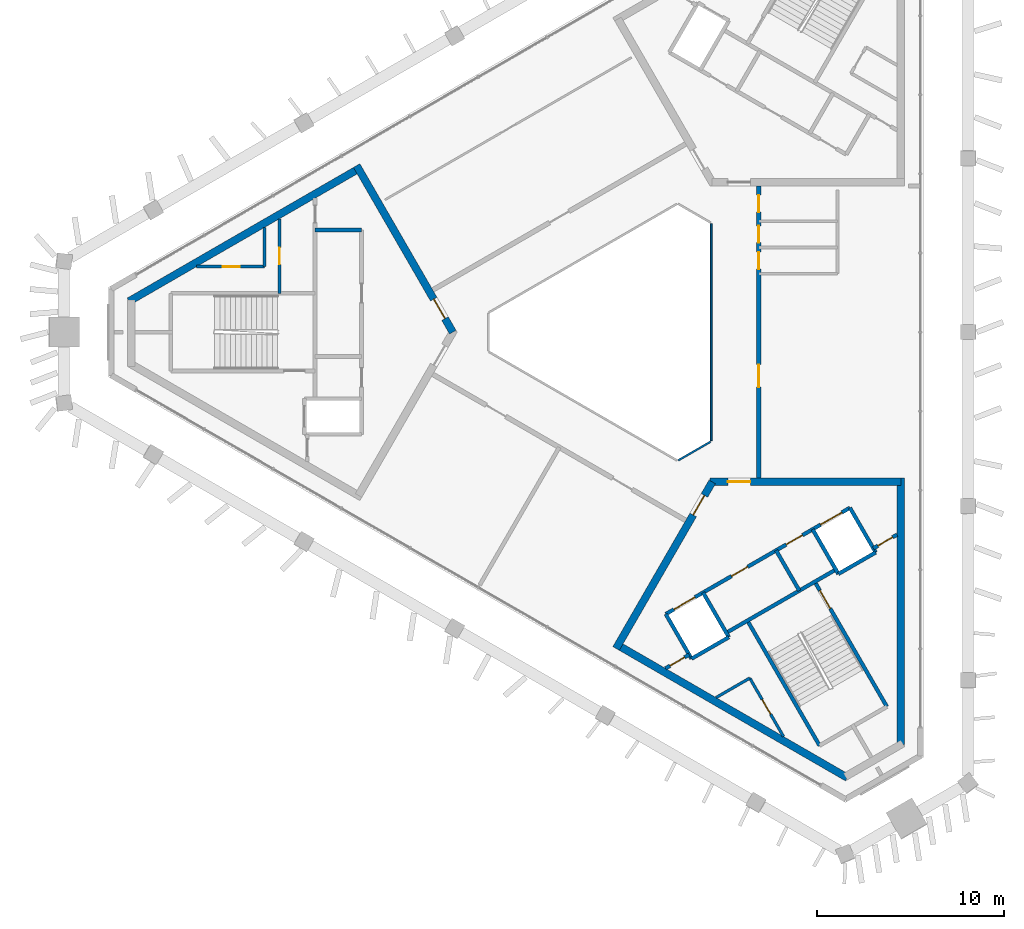
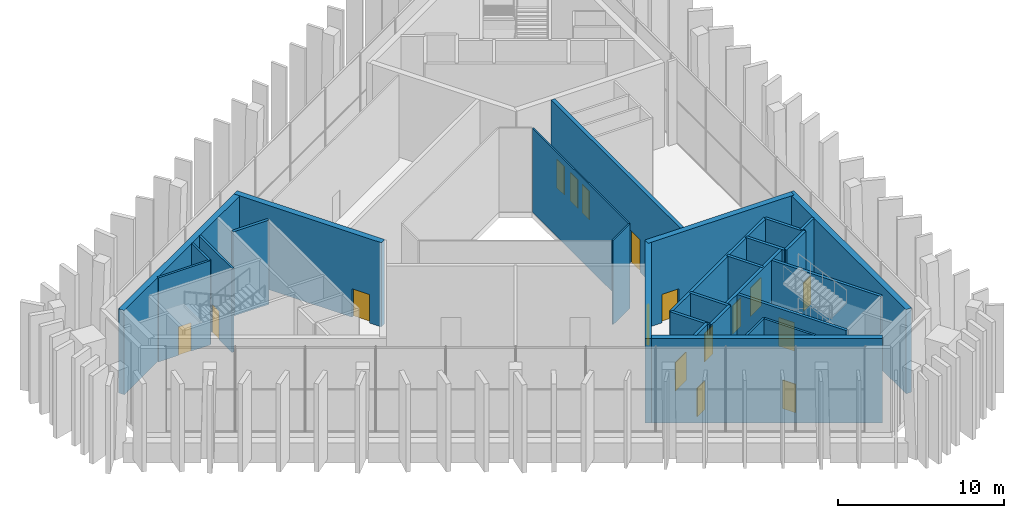
# One storey, part 9 of 13: 28 walls, 17 doors, 17 openings.
"""IFC4 building model written with IfcOpenShell, lengths in metres."""

from ifc_helpers import new_model, si_unit, direction, frame, frame_2d, origin, place, context, subcontext, project, spatial, rectangle, extrude, material, layer, layer_set, type_object, element, fill, save


model = new_model("IFC4")

# Units and contexts
model_context = context("Model", 3, precision=1e-05, world=origin(), true_north=direction((0.0, 1.0)))
body_context = subcontext(model_context, "Body", "Model", "MODEL_VIEW")
ifc_project = project(units=[si_unit("LENGTHUNIT", "METRE"), si_unit("AREAUNIT", "SQUARE_METRE"), si_unit("VOLUMEUNIT", "CUBIC_METRE"), si_unit("PLANEANGLEUNIT", "RADIAN"), si_unit("MASSUNIT", "GRAM", prefix="KILO")], contexts=[model_context])

# Site, building, storey
site_placement = place(None, origin())
site = spatial("IfcSite", under=ifc_project, at=site_placement, CompositionType="ELEMENT")
building_placement = place(site_placement, origin())
building = spatial("IfcBuilding", under=site, at=building_placement, Name="Jabali Bay Hotel Tower and Convention Centre", CompositionType="ELEMENT")
storey_placement = place(building_placement, frame((0.0, 0.0, 315.800048828125)))
storey = spatial("IfcBuildingStorey", under=building, at=storey_placement, Name="L77", CompositionType="ELEMENT", Elevation=315.800048828125)

# Walls
ifc_material_1 = material(Name="Fire-resistant glazing", Category="glass")
ifc_layer_1 = layer(ifc_material_1, 0.10009765625)
ifc_layer_set_1 = layer_set([ifc_layer_1], Name="Fire-resistant glazing")
wall_type_1 = type_object("IfcWallType", Name="Atrium glazed screen 100", PredefinedType="PARTITIONING", material=ifc_layer_set_1)
wall_1_placement = place(storey_placement, frame((79.56005859375, 74.205810546875, 0.0), z_axis=(0.0, 0.0, 1.0), x_axis=(0.0, 1.0, 0.0)))
element("IfcWall", 1, at=wall_1_placement, inside=storey, type_object=wall_type_1, Name="Atrium screen 1 L77", PredefinedType="PARTITIONING", context=body_context, shape_type="SweptSolid", body=[
    extrude(rectangle(XDim=11.58837890625, YDim=0.10009765625, at=frame_2d((5.794189453125, 0.0))), origin(), (0.0, 0.0, 1.0), 6.199951171875),
])
wall_2_placement = place(storey_placement, frame((77.7978515625, 73.15380859375, 0.0), z_axis=(0.0, 0.0, 1.0), x_axis=(0.866041268327, 0.499972520799, 0.0)))
element("IfcWall", 2, at=wall_2_placement, inside=storey, type_object=wall_type_1, Name="Atrium screen 6 L77", PredefinedType="PARTITIONING", context=body_context, shape_type="SweptSolid", body=[
    extrude(rectangle(XDim=2.0, YDim=0.10009765625, at=frame_2d((1.0, 0.0))), origin(), (0.0, 0.0, 1.0), 6.199951171875),
])

# Wall, opening, door
ifc_material_2 = material(Name="Concrete C40", Category="concrete")
ifc_layer_2 = layer(ifc_material_2, 0.199951171875)
ifc_layer_set_2 = layer_set([ifc_layer_2], Name="Concrete C40")
wall_type_2 = type_object("IfcWallType", Name="Core partition wall 200", PredefinedType="PARTITIONING", material=ifc_layer_set_2)
wall_3_placement = place(storey_placement, frame((77.119873046875, 62.055908203125, 0.0), z_axis=(0.0, 0.0, 1.0), x_axis=(0.866054810376, 0.49994906283, 0.0)))
wall_3 = element("IfcWall", 3, at=wall_3_placement, inside=storey, type_object=wall_type_2, Name="Core wall 2.11 L77", PredefinedType="PARTITIONING", context=body_context, shape_type="SweptSolid", body=[
    extrude(rectangle(XDim=1.461181640625, YDim=0.199951171875, at=frame_2d((0.73046875, 0.0))), origin(), (0.0, 0.0, 1.0), 6.199951171875),
])
opening_1_placement = place(wall_3_placement, frame((0.280517578125, 0.0, 0.0)))
opening_1 = element("IfcOpeningElement", 4, at=opening_1_placement, cuts=wall_3, Name="Opening D1733", PredefinedType="OPENING", context=body_context, shape_type="SweptSolid", body=[
    extrude(rectangle(XDim=0.89990234375, YDim=2.10009765625, at=frame_2d((0.449951171875, 1.050048828125))), frame((0.0, 0.1103515625, 0.0), z_axis=(0.0, -1.0, 0.0), x_axis=(1.0, 0.0, 0.0)), (0.0, 0.0, 1.0), 0.220947265625),
])
ifc_material_3 = material(Name="Fire-rated steel door", Category="steel")
door_type_1 = type_object("IfcDoorType", Name="Vestibule fire door 900 x 2100", OperationType="NOTDEFINED", PredefinedType="NOTDEFINED", material=ifc_material_3)
door_1_placement = place(opening_1_placement, origin())
door_1 = element("IfcDoor", 5, at=door_1_placement, inside=storey, type_object=door_type_1, Name="Vestibule fire door D1733", OperationType="SINGLE_SWING_LEFT", OverallHeight=2.10009765625, OverallWidth=0.89990234375, PredefinedType="NOTDEFINED", context=body_context, shape_type="SweptSolid", body=[
    extrude(rectangle(XDim=0.89990234375, YDim=2.10009765625, at=frame_2d((0.449951171875, 1.050048828125))), frame((0.0, 0.02490234375, 0.0), z_axis=(0.0, -1.0, 0.0), x_axis=(1.0, 0.0, 0.0)), (0.0, 0.0, 1.0), 0.050048828125),
])
fill(opening_1, door_1)

wall_4_placement = place(storey_placement, frame((88.214599609375, 68.46142578125, 0.0), z_axis=(0.0, 0.0, 1.0), x_axis=(0.865982457891, 0.500074377092, 0.0)))
wall_4 = element("IfcWall", 6, at=wall_4_placement, inside=storey, type_object=wall_type_2, Name="Core wall 2.12 L77", PredefinedType="PARTITIONING", context=body_context, shape_type="SweptSolid", body=[
    extrude(rectangle(XDim=1.461181640625, YDim=0.199951171875, at=frame_2d((0.73046875, 0.0))), origin(), (0.0, 0.0, 1.0), 6.199951171875),
])
opening_2_placement = place(wall_4_placement, frame((0.280517578125, 0.0, 0.0)))
opening_2 = element("IfcOpeningElement", 7, at=opening_2_placement, cuts=wall_4, Name="Opening D1732", PredefinedType="OPENING", context=body_context, shape_type="SweptSolid", body=[
    extrude(rectangle(XDim=0.89990234375, YDim=2.10009765625, at=frame_2d((0.449951171875, 1.050048828125))), frame((0.0, 0.1103515625, 0.0), z_axis=(0.0, -1.0, 0.0), x_axis=(1.0, 0.0, 0.0)), (0.0, 0.0, 1.0), 0.220947265625),
])
door_2_placement = place(opening_2_placement, origin())
door_2 = element("IfcDoor", 8, at=door_2_placement, inside=storey, type_object=door_type_1, Name="Vestibule fire door D1732", OperationType="SINGLE_SWING_LEFT", OverallHeight=2.10009765625, OverallWidth=0.89990234375, PredefinedType="NOTDEFINED", context=body_context, shape_type="SweptSolid", body=[
    extrude(rectangle(XDim=0.89990234375, YDim=2.10009765625, at=frame_2d((0.449951171875, 1.050048828125))), frame((0.0, 0.02490234375, 0.0), z_axis=(0.0, -1.0, 0.0), x_axis=(1.0, 0.0, 0.0)), (0.0, 0.0, 1.0), 0.050048828125),
])
fill(opening_2, door_2)

ifc_material_4 = material(Name="Fire-rated board partition")
ifc_layer_3 = layer(ifc_material_4, 0.14990234375)
ifc_layer_set_3 = layer_set([ifc_layer_3], Name="Fire-rated board partition")
wall_type_3 = type_object("IfcWallType", Name="Core room partition 150", PredefinedType="PARTITIONING", material=ifc_layer_set_3)
wall_5_placement = place(storey_placement, frame((55.719970703125, 83.5, 0.0), z_axis=(0.0, 0.0, 1.0), x_axis=(-1.0, 0.0, 0.0)))
wall_5 = element("IfcWall", 9, at=wall_5_placement, inside=storey, type_object=wall_type_3, Name="Core wall 0.1 L77", PredefinedType="PARTITIONING", context=body_context, shape_type="SweptSolid", body=[
    extrude(rectangle(XDim=3.61767578125, YDim=0.14990234375, at=frame_2d((1.808837890625, 0.0))), origin(), (0.0, 0.0, 1.0), 6.199951171875),
])
opening_3_placement = place(wall_5_placement, frame((1.33154296875, 0.0, 0.0)))
opening_3 = element("IfcOpeningElement", 10, at=opening_3_placement, cuts=wall_5, Name="Opening D1718", PredefinedType="OPENING", context=body_context, shape_type="SweptSolid", body=[
    extrude(rectangle(XDim=0.89990234375, YDim=2.10009765625, at=frame_2d((0.449951171875, 1.050048828125))), frame((0.0, 0.08544921875, 0.0), z_axis=(0.0, -1.0, 0.0), x_axis=(1.0, 0.0, 0.0)), (0.0, 0.0, 1.0), 0.1708984375),
])
door_type_2 = type_object("IfcDoorType", Name="Core room door 900 x 2100", OperationType="NOTDEFINED", PredefinedType="NOTDEFINED", material=ifc_material_3)
door_3_placement = place(opening_3_placement, origin())
door_3 = element("IfcDoor", 11, at=door_3_placement, inside=storey, type_object=door_type_2, Name="Core room door D1718", OperationType="SINGLE_SWING_LEFT", OverallHeight=2.10009765625, OverallWidth=0.89990234375, PredefinedType="NOTDEFINED", context=body_context, shape_type="SweptSolid", body=[
    extrude(rectangle(XDim=0.89990234375, YDim=2.10009765625, at=frame_2d((0.449951171875, 1.050048828125))), frame((0.0, 0.02490234375, 0.0), z_axis=(0.0, -1.0, 0.0), x_axis=(1.0, 0.0, 0.0)), (0.0, 0.0, 1.0), 0.050048828125),
])
fill(opening_3, door_3)

wall_6_placement = place(storey_placement, frame((56.52001953125, 86.050537109375, 0.0), z_axis=(0.0, 0.0, 1.0), x_axis=(0.0, -1.0, 0.0)))
wall_6 = element("IfcWall", 12, at=wall_6_placement, inside=storey, type_object=wall_type_3, Name="Core wall 0.12 L77", PredefinedType="PARTITIONING", context=body_context, shape_type="SweptSolid", body=[
    extrude(rectangle(XDim=3.9755859375, YDim=0.14990234375, at=frame_2d((1.98779296875, 0.0))), origin(), (0.0, 0.0, 1.0), 6.199951171875),
])
opening_4_placement = place(wall_6_placement, frame((1.537841796875, 0.0, 0.0)))
opening_4 = element("IfcOpeningElement", 13, at=opening_4_placement, cuts=wall_6, Name="Opening D1714", PredefinedType="OPENING", context=body_context, shape_type="SweptSolid", body=[
    extrude(rectangle(XDim=0.89990234375, YDim=2.10009765625, at=frame_2d((0.449951171875, 1.050048828125))), frame((0.0, 0.08544921875, 0.0), z_axis=(0.0, -1.0, 0.0), x_axis=(1.0, 0.0, 0.0)), (0.0, 0.0, 1.0), 0.1708984375),
])
door_4_placement = place(opening_4_placement, origin())
door_4 = element("IfcDoor", 14, at=door_4_placement, inside=storey, type_object=door_type_2, Name="Core room door D1714", OperationType="SINGLE_SWING_RIGHT", OverallHeight=2.10009765625, OverallWidth=0.89990234375, PredefinedType="NOTDEFINED", context=body_context, shape_type="SweptSolid", body=[
    extrude(rectangle(XDim=0.89990234375, YDim=2.10009765625, at=frame_2d((0.449951171875, 1.050048828125))), frame((0.0, 0.02490234375, 0.0), z_axis=(0.0, -1.0, 0.0), x_axis=(1.0, 0.0, 0.0)), (0.0, 0.0, 1.0), 0.050048828125),
])
fill(opening_4, door_4)

# Wall
wall_7_placement = place(storey_placement, frame((55.719970703125, 85.5888671875, 0.0), z_axis=(0.0, 0.0, 1.0), x_axis=(0.0, -1.0, 0.0)))
element("IfcWall", 15, at=wall_7_placement, inside=storey, type_object=wall_type_3, Name="Core wall 0.13 L77", PredefinedType="PARTITIONING", context=body_context, shape_type="SweptSolid", body=[
    extrude(rectangle(XDim=2.0888671875, YDim=0.14990234375, at=frame_2d((1.04443359375, 0.0))), origin(), (0.0, 0.0, 1.0), 6.199951171875),
])

# Wall, opening, door
wall_8_placement = place(storey_placement, frame((81.618896484375, 61.53564453125, 0.0), z_axis=(0.0, 0.0, 1.0), x_axis=(0.499992664208, -0.866029639064, 0.0)))
wall_8 = element("IfcWall", 16, at=wall_8_placement, inside=storey, type_object=wall_type_3, Name="Core wall 2.1 L77", PredefinedType="PARTITIONING", context=body_context, shape_type="SweptSolid", body=[
    extrude(rectangle(XDim=3.59765625, YDim=0.14990234375, at=frame_2d((1.798828125, 0.0))), origin(), (0.0, 0.0, 1.0), 6.199951171875),
])
opening_5_placement = place(wall_8_placement, frame((1.321533203125, 0.0, 0.0)))
opening_5 = element("IfcOpeningElement", 17, at=opening_5_placement, cuts=wall_8, Name="Opening D1735", PredefinedType="OPENING", context=body_context, shape_type="SweptSolid", body=[
    extrude(rectangle(XDim=0.89990234375, YDim=2.10009765625, at=frame_2d((0.449951171875, 1.050048828125))), frame((0.0, 0.08544921875, 0.0), z_axis=(0.0, -1.0, 0.0), x_axis=(1.0, 0.0, 0.0)), (0.0, 0.0, 1.0), 0.1708984375),
])
door_5_placement = place(opening_5_placement, origin())
door_5 = element("IfcDoor", 18, at=door_5_placement, inside=storey, type_object=door_type_2, Name="Core room door D1735", OperationType="SINGLE_SWING_LEFT", OverallHeight=2.10009765625, OverallWidth=0.89990234375, PredefinedType="NOTDEFINED", context=body_context, shape_type="SweptSolid", body=[
    extrude(rectangle(XDim=0.89990234375, YDim=2.10009765625, at=frame_2d((0.449951171875, 1.050048828125))), frame((0.0, 0.02490234375, 0.0), z_axis=(0.0, -1.0, 0.0), x_axis=(1.0, 0.0, 0.0)), (0.0, 0.0, 1.0), 0.050048828125),
])
fill(opening_5, door_5)

# Walls
wall_9_placement = place(storey_placement, frame((79.820068359375, 60.4970703125, 0.0), z_axis=(0.0, 0.0, 1.0), x_axis=(0.866021168401, 0.500007335828, 0.0)))
element("IfcWall", 19, at=wall_9_placement, inside=storey, type_object=wall_type_3, Name="Core wall 2.15 L77", PredefinedType="PARTITIONING", context=body_context, shape_type="SweptSolid", body=[
    extrude(rectangle(XDim=2.0771484375, YDim=0.14990234375, at=frame_2d((1.03857421875, 0.0))), origin(), (0.0, 0.0, 1.0), 6.199951171875),
])
ifc_layer_4 = layer(ifc_material_2, 0.199951171875)
ifc_layer_set_4 = layer_set([ifc_layer_4], Name="Concrete C40")
wall_type_4 = type_object("IfcWallType", Name="Core stair wall 200", PredefinedType="SOLIDWALL", material=ifc_layer_set_4)
wall_10_placement = place(storey_placement, frame((60.89990234375, 85.449951171875, 0.0), z_axis=(0.0, 0.0, 1.0), x_axis=(-1.0, 0.0, 0.0)))
element("IfcWall", 20, at=wall_10_placement, inside=storey, type_object=wall_type_4, Name="Core wall 0.0 L77", PredefinedType="SOLIDWALL", context=body_context, shape_type="SweptSolid", body=[
    extrude(rectangle(XDim=2.47998046875, YDim=0.199951171875, at=frame_2d((1.239990234375, 0.0))), origin(), (0.0, 0.0, 1.0), 6.199951171875),
])
for number, where, z_axis, x_axis, name in (
    (21, (77.13525390625, 64.95166015625, 0.0), (0.0, 0.0, 1.0), (0.499996545922, -0.866027397988, 0.0), "Core wall 2.0 L77"),
    (22, (79.127197265625, 66.1015625, 0.0), (0.0, 0.0, 1.0), (0.499996545922, -0.866027397988, 0.0), "Core wall 2.2 L77"),
):
    element("IfcWall", number, at=place(storey_placement, frame(where, z_axis=z_axis, x_axis=x_axis)), inside=storey, type_object=wall_type_4, Name=name, PredefinedType="SOLIDWALL", context=body_context, shape_type="SweptSolid", body=[
        extrude(rectangle(XDim=2.75, YDim=0.199951171875, at=frame_2d((1.375, 0.0))), origin(), (0.0, 0.0, 1.0), 6.199951171875),
    ])
wall_11_placement = place(storey_placement, frame((81.492919921875, 64.603759765625, 0.0), z_axis=(0.0, 0.0, 1.0), x_axis=(0.500006057782, -0.866021906294, 0.0)))
element("IfcWall", 23, at=wall_11_placement, inside=storey, type_object=wall_type_4, Name="Core wall 2.3 L77", PredefinedType="SOLIDWALL", context=body_context, shape_type="SweptSolid", body=[
    extrude(rectangle(XDim=7.7001953125, YDim=0.199951171875, at=frame_2d((3.85009765625, 0.0))), origin(), (0.0, 0.0, 1.0), 6.199951171875),
])
wall_12_placement = place(storey_placement, frame((83.024169921875, 68.3515625, 0.0), z_axis=(0.0, 0.0, 1.0), x_axis=(0.50000366821, -0.866023285932, 0.0)))
element("IfcWall", 24, at=wall_12_placement, inside=storey, type_object=wall_type_4, Name="Core wall 2.5 L77", PredefinedType="SOLIDWALL", context=body_context, shape_type="SweptSolid", body=[
    extrude(rectangle(XDim=2.47998046875, YDim=0.199951171875, at=frame_2d((1.239990234375, 0.0))), origin(), (0.0, 0.0, 1.0), 6.199951171875),
])

# Wall, opening, door
wall_13_placement = place(storey_placement, frame((85.0869140625, 66.6787109375, 0.0), z_axis=(0.0, 0.0, 1.0), x_axis=(0.500019787375, -0.866013979237, 0.0)))
wall_13 = element("IfcWall", 25, at=wall_13_placement, inside=storey, type_object=wall_type_4, Name="Core wall 2.6 L77", PredefinedType="SOLIDWALL", context=body_context, shape_type="SweptSolid", body=[
    extrude(rectangle(XDim=7.699951171875, YDim=0.199951171875, at=frame_2d((3.85009765625, 0.0))), origin(), (0.0, 0.0, 1.0), 6.199951171875),
])
opening_6_placement = place(wall_13_placement, frame((0.550048828125, 0.0, 0.0)))
opening_6 = element("IfcOpeningElement", 26, at=opening_6_placement, cuts=wall_13, Name="Opening D1734", PredefinedType="OPENING", context=body_context, shape_type="SweptSolid", body=[
    extrude(rectangle(XDim=1.10009765625, YDim=2.10009765625, at=frame_2d((0.550048828125, 1.050048828125))), frame((0.0, 0.1103515625, 0.0), z_axis=(0.0, -1.0, 0.0), x_axis=(1.0, 0.0, 0.0)), (0.0, 0.0, 1.0), 0.220947265625),
])
door_type_3 = type_object("IfcDoorType", Name="Stair fire door 1100 x 2100", OperationType="NOTDEFINED", PredefinedType="NOTDEFINED", material=ifc_material_3)
door_6_placement = place(opening_6_placement, origin())
door_6 = element("IfcDoor", 27, at=door_6_placement, inside=storey, type_object=door_type_3, Name="Stair fire door D1734", OperationType="SINGLE_SWING_RIGHT", OverallHeight=2.10009765625, OverallWidth=1.10009765625, PredefinedType="NOTDEFINED", context=body_context, shape_type="SweptSolid", body=[
    extrude(rectangle(XDim=1.10009765625, YDim=2.10009765625, at=frame_2d((0.550048828125, 1.050048828125))), frame((0.0, 0.02490234375, 0.0), z_axis=(0.0, -1.0, 0.0), x_axis=(1.0, 0.0, 0.0)), (0.0, 0.0, 1.0), 0.050048828125),
])
fill(opening_6, door_6)

# Walls
for number, where, z_axis, x_axis, name in (
    (28, (84.972900390625, 69.4765625, 0.0), (0.0, 0.0, 1.0), (0.499996545922, -0.866027397988, 0.0), "Core wall 2.7 L77"),
    (29, (86.964599609375, 70.62646484375, 0.0), (0.0, 0.0, 1.0), (0.499996545922, -0.866027397988, 0.0), "Core wall 2.8 L77"),
):
    element("IfcWall", number, at=place(storey_placement, frame(where, z_axis=z_axis, x_axis=x_axis)), inside=storey, type_object=wall_type_4, Name=name, PredefinedType="SOLIDWALL", context=body_context, shape_type="SweptSolid", body=[
        extrude(rectangle(XDim=2.75, YDim=0.199951171875, at=frame_2d((1.375, 0.0))), origin(), (0.0, 0.0, 1.0), 6.199951171875),
    ])

# Wall, openings, doors
wall_14_placement = place(storey_placement, frame((77.13525390625, 64.95166015625, 0.0), z_axis=(0.0, 0.0, 1.0), x_axis=(0.866031916153, 0.499988720078, 0.0)))
wall_14 = element("IfcWall", 30, at=wall_14_placement, inside=storey, type_object=wall_type_4, Name="Core wall 2.9 L77", PredefinedType="SOLIDWALL", context=body_context, shape_type="SweptSolid", body=[
    extrude(rectangle(XDim=11.349853515625, YDim=0.199951171875, at=frame_2d((5.6748046875, 0.0))), origin(), (0.0, 0.0, 1.0), 6.199951171875),
])
opening_7_placement = place(wall_14_placement, frame((0.5, 0.0, 0.0)))
opening_7 = element("IfcOpeningElement", 31, at=opening_7_placement, cuts=wall_14, Name="Opening LD11-L77", PredefinedType="OPENING", context=body_context, shape_type="SweptSolid", body=[
    extrude(rectangle(XDim=1.300048828125, YDim=2.10009765625, at=frame_2d((0.64990234375, 1.050048828125))), frame((0.0, 0.1103515625, 0.0), z_axis=(0.0, -1.0, 0.0), x_axis=(1.0, 0.0, 0.0)), (0.0, 0.0, 1.0), 0.220947265625),
])
opening_8_placement = place(wall_14_placement, frame((9.550048828125, 0.0, 0.0)))
opening_8 = element("IfcOpeningElement", 32, at=opening_8_placement, cuts=wall_14, Name="Opening LD15-L77", PredefinedType="OPENING", context=body_context, shape_type="SweptSolid", body=[
    extrude(rectangle(XDim=1.300048828125, YDim=2.10009765625, at=frame_2d((0.64990234375, 1.050048828125))), frame((0.0, 0.1103515625, 0.0), z_axis=(0.0, -1.0, 0.0), x_axis=(1.0, 0.0, 0.0)), (0.0, 0.0, 1.0), 0.220947265625),
])
opening_9_placement = place(wall_14_placement, frame((4.050048828125, 0.0, 0.0)))
opening_9 = element("IfcOpeningElement", 33, at=opening_9_placement, cuts=wall_14, Name="Opening D1730", PredefinedType="OPENING", context=body_context, shape_type="SweptSolid", body=[
    extrude(rectangle(XDim=1.0, YDim=2.10009765625, at=frame_2d((0.5, 1.050048828125))), frame((0.0, 0.1103515625, 0.0), z_axis=(0.0, -1.0, 0.0), x_axis=(1.0, 0.0, 0.0)), (0.0, 0.0, 1.0), 0.220947265625),
])
opening_10_placement = place(wall_14_placement, frame((7.425048828125, 0.0, 0.0)))
opening_10 = element("IfcOpeningElement", 34, at=opening_10_placement, cuts=wall_14, Name="Opening D1731", PredefinedType="OPENING", context=body_context, shape_type="SweptSolid", body=[
    extrude(rectangle(XDim=1.0, YDim=2.10009765625, at=frame_2d((0.5, 1.050048828125))), frame((0.0, 0.1103515625, 0.0), z_axis=(0.0, -1.0, 0.0), x_axis=(1.0, 0.0, 0.0)), (0.0, 0.0, 1.0), 0.220947265625),
])
door_type_4 = type_object("IfcDoorType", Name="Core room door 1000 x 2100", OperationType="NOTDEFINED", PredefinedType="NOTDEFINED", material=ifc_material_3)
door_7_placement = place(opening_9_placement, origin())
door_7 = element("IfcDoor", 35, at=door_7_placement, inside=storey, type_object=door_type_4, Name="Core room door D1730", OperationType="SINGLE_SWING_RIGHT", OverallHeight=2.10009765625, OverallWidth=1.0, PredefinedType="NOTDEFINED", context=body_context, shape_type="SweptSolid", body=[
    extrude(rectangle(XDim=1.0, YDim=2.10009765625, at=frame_2d((0.5, 1.050048828125))), frame((0.0, 0.02490234375, 0.0), z_axis=(0.0, -1.0, 0.0), x_axis=(1.0, 0.0, 0.0)), (0.0, 0.0, 1.0), 0.050048828125),
])
fill(opening_9, door_7)
door_8_placement = place(opening_10_placement, origin())
door_8 = element("IfcDoor", 36, at=door_8_placement, inside=storey, type_object=door_type_4, Name="Core room door D1731", OperationType="SINGLE_SWING_RIGHT", OverallHeight=2.10009765625, OverallWidth=1.0, PredefinedType="NOTDEFINED", context=body_context, shape_type="SweptSolid", body=[
    extrude(rectangle(XDim=1.0, YDim=2.10009765625, at=frame_2d((0.5, 1.050048828125))), frame((0.0, 0.02490234375, 0.0), z_axis=(0.0, -1.0, 0.0), x_axis=(1.0, 0.0, 0.0)), (0.0, 0.0, 1.0), 0.050048828125),
])
fill(opening_10, door_8)
ifc_material_5 = material(Name="Stainless steel landing door", Category="steel")
door_type_5 = type_object("IfcDoorType", Name="Landing door 1300 x 2100", OperationType="NOTDEFINED", PredefinedType="NOTDEFINED", material=ifc_material_5)
door_9_placement = place(opening_7_placement, origin())
door_9 = element("IfcDoor", 37, at=door_9_placement, inside=storey, type_object=door_type_5, Name="Landing doors LD11-L77", OperationType="SLIDING_TO_RIGHT", OverallHeight=2.10009765625, OverallWidth=1.300048828125, PredefinedType="NOTDEFINED", context=body_context, shape_type="SweptSolid", body=[
    extrude(rectangle(XDim=1.300048828125, YDim=2.10009765625, at=frame_2d((0.64990234375, 1.050048828125))), frame((0.0, 0.02490234375, 0.0), z_axis=(0.0, -1.0, 0.0), x_axis=(1.0, 0.0, 0.0)), (0.0, 0.0, 1.0), 0.050048828125),
])
fill(opening_7, door_9)
door_10_placement = place(opening_8_placement, origin())
door_10 = element("IfcDoor", 38, at=door_10_placement, inside=storey, type_object=door_type_5, Name="Landing doors LD15-L77", OperationType="SLIDING_TO_RIGHT", OverallHeight=2.10009765625, OverallWidth=1.300048828125, PredefinedType="NOTDEFINED", context=body_context, shape_type="SweptSolid", body=[
    extrude(rectangle(XDim=1.300048828125, YDim=2.10009765625, at=frame_2d((0.64990234375, 1.050048828125))), frame((0.0, 0.02490234375, 0.0), z_axis=(0.0, -1.0, 0.0), x_axis=(1.0, 0.0, 0.0)), (0.0, 0.0, 1.0), 0.050048828125),
])
fill(opening_8, door_10)

# Walls
wall_15_placement = place(storey_placement, frame((80.3671875, 63.953857421875, 0.0), z_axis=(0.0, 0.0, 1.0), x_axis=(0.866026575979, 0.499997969693, 0.0)))
element("IfcWall", 39, at=wall_15_placement, inside=storey, type_object=wall_type_4, Name="Core wall 2.10 L77", PredefinedType="SOLIDWALL", context=body_context, shape_type="SweptSolid", body=[
    extrude(rectangle(XDim=6.75, YDim=0.199951171875, at=frame_2d((3.375, 0.0))), origin(), (0.0, 0.0, 1.0), 6.199951171875),
])
wall_16_placement = place(storey_placement, frame((78.51025390625, 62.570068359375, 0.0), z_axis=(0.0, 0.0, 1.0), x_axis=(0.866053019151, 0.499952165731, 0.0)))
element("IfcWall", 40, at=wall_16_placement, inside=storey, type_object=wall_type_4, Name="Core wall 2.13 L77", PredefinedType="SOLIDWALL", context=body_context, shape_type="SweptSolid", body=[
    extrude(rectangle(XDim=2.300048828125, YDim=0.199951171875, at=frame_2d((1.14990234375, 0.0))), origin(), (0.0, 0.0, 1.0), 6.199951171875),
])
wall_17_placement = place(storey_placement, frame((86.347900390625, 67.094970703125, 0.0), z_axis=(0.0, 0.0, 1.0), x_axis=(0.86602648383, 0.499998129301, 0.0)))
element("IfcWall", 41, at=wall_17_placement, inside=storey, type_object=wall_type_4, Name="Core wall 2.14 L77", PredefinedType="SOLIDWALL", context=body_context, shape_type="SweptSolid", body=[
    extrude(rectangle(XDim=2.2998046875, YDim=0.199951171875, at=frame_2d((1.14990234375, 0.0))), origin(), (0.0, 0.0, 1.0), 6.199951171875),
])

# Wall, opening, door
ifc_material_6 = material(Name="Concrete C60", Category="concrete")
ifc_layer_5 = layer(ifc_material_6, 0.39990234375)
ifc_layer_set_5 = layer_set([ifc_layer_5], Name="Concrete C60")
wall_type_5 = type_object("IfcWallType", Name="Core wall 400", PredefinedType="SHEAR", material=ifc_layer_set_5)
wall_18_placement = place(storey_placement, frame((65.76904296875, 80.0, 0.0), z_axis=(0.0, 0.0, 1.0), x_axis=(-0.50000177223, 0.866024380585, 0.0)))
wall_18 = element("IfcWall", 42, at=wall_18_placement, inside=storey, type_object=wall_type_5, Name="Core wall 1.1 L77", PredefinedType="SHEAR", context=body_context, shape_type="SweptSolid", body=[
    extrude(rectangle(XDim=10.2646484375, YDim=0.39990234375, at=frame_2d((5.13232421875, 0.0))), origin(), (0.0, 0.0, 1.0), 6.199951171875),
])
opening_11_placement = place(wall_18_placement, frame((0.83447265625, 0.0, 0.0)))
opening_11 = element("IfcOpeningElement", 43, at=opening_11_placement, cuts=wall_18, Name="Opening D1710", PredefinedType="OPENING", context=body_context, shape_type="SweptSolid", body=[
    extrude(rectangle(XDim=1.199951171875, YDim=2.10009765625, at=frame_2d((0.60009765625, 1.050048828125))), frame((0.0, 0.21044921875, 0.0), z_axis=(0.0, -1.0, 0.0), x_axis=(1.0, 0.0, 0.0)), (0.0, 0.0, 1.0), 0.4208984375),
])
door_type_6 = type_object("IfcDoorType", Name="Corridor end fire door 1200 x 2100", OperationType="NOTDEFINED", PredefinedType="NOTDEFINED", material=ifc_material_3)
door_11_placement = place(opening_11_placement, origin())
door_11 = element("IfcDoor", 44, at=door_11_placement, inside=storey, type_object=door_type_6, Name="Corridor end fire door D1710", OperationType="SINGLE_SWING_RIGHT", OverallHeight=2.10009765625, OverallWidth=1.199951171875, PredefinedType="NOTDEFINED", context=body_context, shape_type="SweptSolid", body=[
    extrude(rectangle(XDim=1.199951171875, YDim=2.10009765625, at=frame_2d((0.60009765625, 1.050048828125))), frame((0.0, 0.02490234375, 0.0), z_axis=(0.0, -1.0, 0.0), x_axis=(1.0, 0.0, 0.0)), (0.0, 0.0, 1.0), 0.050048828125),
])
fill(opening_11, door_11)

# Wall
wall_19_placement = place(storey_placement, frame((60.73681640625, 88.716064453125, 0.0), z_axis=(0.0, 0.0, 1.0), x_axis=(-0.866028812667, -0.499994095595, 0.0)))
element("IfcWall", 45, at=wall_19_placement, inside=storey, type_object=wall_type_5, Name="Core wall 1.2 L77", PredefinedType="SHEAR", context=body_context, shape_type="SweptSolid", body=[
    extrude(rectangle(XDim=14.133544921875, YDim=0.39990234375, at=frame_2d((7.06689453125, 0.0))), origin(), (0.0, 0.0, 1.0), 6.199951171875),
])

# Wall, opening, door
wall_20_placement = place(storey_placement, frame((79.615478515625, 72.005859375, 0.0), z_axis=(0.0, 0.0, 1.0), x_axis=(-0.50000177223, -0.866024380585, 0.0)))
wall_20 = element("IfcWall", 46, at=wall_20_placement, inside=storey, type_object=wall_type_5, Name="Core wall 3.1 L77", PredefinedType="SHEAR", context=body_context, shape_type="SweptSolid", body=[
    extrude(rectangle(XDim=10.2646484375, YDim=0.39990234375, at=frame_2d((5.13232421875, 0.0))), origin(), (0.0, 0.0, 1.0), 6.199951171875),
])
opening_12_placement = place(wall_20_placement, frame((0.83447265625, 0.0, 0.0)))
opening_12 = element("IfcOpeningElement", 47, at=opening_12_placement, cuts=wall_20, Name="Opening D1728", PredefinedType="OPENING", context=body_context, shape_type="SweptSolid", body=[
    extrude(rectangle(XDim=1.199951171875, YDim=2.10009765625, at=frame_2d((0.60009765625, 1.050048828125))), frame((0.0, 0.21044921875, 0.0), z_axis=(0.0, -1.0, 0.0), x_axis=(1.0, 0.0, 0.0)), (0.0, 0.0, 1.0), 0.4208984375),
])
door_12_placement = place(opening_12_placement, origin())
door_12 = element("IfcDoor", 48, at=door_12_placement, inside=storey, type_object=door_type_6, Name="Corridor end fire door D1728", OperationType="SINGLE_SWING_RIGHT", OverallHeight=2.10009765625, OverallWidth=1.199951171875, PredefinedType="NOTDEFINED", context=body_context, shape_type="SweptSolid", body=[
    extrude(rectangle(XDim=1.199951171875, YDim=2.10009765625, at=frame_2d((0.60009765625, 1.050048828125))), frame((0.0, 0.02490234375, 0.0), z_axis=(0.0, -1.0, 0.0), x_axis=(1.0, 0.0, 0.0)), (0.0, 0.0, 1.0), 0.050048828125),
])
fill(opening_12, door_12)

# Walls
wall_21_placement = place(storey_placement, frame((74.583251953125, 63.28955078125, 0.0), z_axis=(0.0, 0.0, 1.0), x_axis=(0.866024494188, -0.500001575463, 0.0)))
element("IfcWall", 49, at=wall_21_placement, inside=storey, type_object=wall_type_5, Name="Core wall 3.2 L77", PredefinedType="SHEAR", context=body_context, shape_type="SweptSolid", body=[
    extrude(rectangle(XDim=14.13330078125, YDim=0.39990234375, at=frame_2d((7.066650390625, 0.0))), origin(), (0.0, 0.0, 1.0), 6.199951171875),
])
wall_22_placement = place(storey_placement, frame((89.679931640625, 57.98779296875, 0.0), z_axis=(0.0, 0.0, 1.0), x_axis=(0.0, 1.0, 0.0)))
element("IfcWall", 50, at=wall_22_placement, inside=storey, type_object=wall_type_5, Name="Core wall 3.4 L77", PredefinedType="SHEAR", context=body_context, shape_type="SweptSolid", body=[
    extrude(rectangle(XDim=14.218017578125, YDim=0.39990234375, at=frame_2d((7.10888671875, 0.0))), origin(), (0.0, 0.0, 1.0), 6.199951171875),
])

# Wall, opening, door
wall_23_placement = place(storey_placement, frame((89.679931640625, 72.005859375, 0.0), z_axis=(0.0, 0.0, 1.0), x_axis=(-1.0, 0.0, 0.0)))
wall_23 = element("IfcWall", 51, at=wall_23_placement, inside=storey, type_object=wall_type_5, Name="Core wall 3.5 L77", PredefinedType="SHEAR", context=body_context, shape_type="SweptSolid", body=[
    extrude(rectangle(XDim=10.179931640625, YDim=0.39990234375, at=frame_2d((5.08984375, 0.0))), origin(), (0.0, 0.0, 1.0), 6.199951171875),
])
opening_13_placement = place(wall_23_placement, frame((8.030029296875, 0.0, 0.0)))
opening_13 = element("IfcOpeningElement", 52, at=opening_13_placement, cuts=wall_23, Name="Opening D1729", PredefinedType="OPENING", context=body_context, shape_type="SweptSolid", body=[
    extrude(rectangle(XDim=1.199951171875, YDim=2.10009765625, at=frame_2d((0.60009765625, 1.050048828125))), frame((0.0, 0.21044921875, 0.0), z_axis=(0.0, -1.0, 0.0), x_axis=(1.0, 0.0, 0.0)), (0.0, 0.0, 1.0), 0.4208984375),
])
door_13_placement = place(opening_13_placement, origin())
door_13 = element("IfcDoor", 53, at=door_13_placement, inside=storey, type_object=door_type_6, Name="Corridor end fire door D1729", OperationType="SINGLE_SWING_LEFT", OverallHeight=2.10009765625, OverallWidth=1.199951171875, PredefinedType="NOTDEFINED", context=body_context, shape_type="SweptSolid", body=[
    extrude(rectangle(XDim=1.199951171875, YDim=2.10009765625, at=frame_2d((0.60009765625, 1.050048828125))), frame((0.0, 0.02490234375, 0.0), z_axis=(0.0, -1.0, 0.0), x_axis=(1.0, 0.0, 0.0)), (0.0, 0.0, 1.0), 0.050048828125),
])
fill(opening_13, door_13)

# Wall, openings, doors
ifc_layer_6 = layer(ifc_material_6, 0.25)
ifc_layer_set_6 = layer_set([ifc_layer_6], Name="Concrete C60")
wall_type_6 = type_object("IfcWallType", Name="Corridor wall 250", PredefinedType="SHEAR", material=ifc_layer_set_6)
wall_24_placement = place(storey_placement, frame((82.10009765625, 72.205810546875, 0.0), z_axis=(0.0, 0.0, 1.0), x_axis=(0.0, 1.0, 0.0)))
wall_24 = element("IfcWall", 54, at=wall_24_placement, inside=storey, type_object=wall_type_6, Name="Corridor wall 1 L77", PredefinedType="SHEAR", context=body_context, shape_type="SweptSolid", body=[
    extrude(rectangle(XDim=15.58837890625, YDim=0.25, at=frame_2d((7.794189453125, 0.0))), origin(), (0.0, 0.0, 1.0), 6.199951171875),
])
opening_14_placement = place(wall_24_placement, frame((4.85595703125, 0.0, 0.0)))
opening_14 = element("IfcOpeningElement", 55, at=opening_14_placement, cuts=wall_24, Name="Opening 7701", PredefinedType="OPENING", context=body_context, shape_type="SweptSolid", body=[
    extrude(rectangle(XDim=1.199951171875, YDim=2.39990234375, at=frame_2d((0.60009765625, 1.199951171875))), frame((0.0, 0.135498046875, 0.0), z_axis=(0.0, -1.0, 0.0), x_axis=(1.0, 0.0, 0.0)), (0.0, 0.0, 1.0), 0.27099609375),
])
opening_15_placement = place(wall_24_placement, frame((11.163330078125, 0.0, 0.0)))
opening_15 = element("IfcOpeningElement", 56, at=opening_15_placement, cuts=wall_24, Name="Opening 7702", PredefinedType="OPENING", context=body_context, shape_type="SweptSolid", body=[
    extrude(rectangle(XDim=0.89990234375, YDim=2.10009765625, at=frame_2d((0.449951171875, 1.050048828125))), frame((0.0, 0.135498046875, 0.0), z_axis=(0.0, -1.0, 0.0), x_axis=(1.0, 0.0, 0.0)), (0.0, 0.0, 1.0), 0.27099609375),
])
opening_16_placement = place(wall_24_placement, frame((12.56640625, 0.0, 0.0)))
opening_16 = element("IfcOpeningElement", 57, at=opening_16_placement, cuts=wall_24, Name="Opening 7703", PredefinedType="OPENING", context=body_context, shape_type="SweptSolid", body=[
    extrude(rectangle(XDim=0.89990234375, YDim=2.10009765625, at=frame_2d((0.449951171875, 1.050048828125))), frame((0.0, 0.135498046875, 0.0), z_axis=(0.0, -1.0, 0.0), x_axis=(1.0, 0.0, 0.0)), (0.0, 0.0, 1.0), 0.27099609375),
])
opening_17_placement = place(wall_24_placement, frame((14.203125, 0.0, 0.0)))
opening_17 = element("IfcOpeningElement", 58, at=opening_17_placement, cuts=wall_24, Name="Opening 7704", PredefinedType="OPENING", context=body_context, shape_type="SweptSolid", body=[
    extrude(rectangle(XDim=0.89990234375, YDim=2.10009765625, at=frame_2d((0.449951171875, 1.050048828125))), frame((0.0, 0.135498046875, 0.0), z_axis=(0.0, -1.0, 0.0), x_axis=(1.0, 0.0, 0.0)), (0.0, 0.0, 1.0), 0.27099609375),
])
ifc_material_7 = material(Name="Timber", Category="wood")
door_type_7 = type_object("IfcDoorType", Name="Accessible en-suite door 900 x 2100", OperationType="NOTDEFINED", PredefinedType="NOTDEFINED", material=ifc_material_7)
door_14_placement = place(opening_17_placement, origin())
door_14 = element("IfcDoor", 59, at=door_14_placement, inside=storey, type_object=door_type_7, Name="Door 7704", OperationType="SINGLE_SWING_RIGHT", OverallHeight=2.10009765625, OverallWidth=0.89990234375, PredefinedType="NOTDEFINED", context=body_context, shape_type="SweptSolid", body=[
    extrude(rectangle(XDim=0.89990234375, YDim=2.10009765625, at=frame_2d((0.449951171875, 1.050048828125))), frame((0.0, 0.02490234375, 0.0), z_axis=(0.0, -1.0, 0.0), x_axis=(1.0, 0.0, 0.0)), (0.0, 0.0, 1.0), 0.050048828125),
])
fill(opening_17, door_14)
door_type_8 = type_object("IfcDoorType", Name="Internal door 900 x 2100", OperationType="NOTDEFINED", PredefinedType="NOTDEFINED", material=ifc_material_7)
door_15_placement = place(opening_15_placement, origin())
door_15 = element("IfcDoor", 60, at=door_15_placement, inside=storey, type_object=door_type_8, Name="Door 7702", OperationType="SINGLE_SWING_RIGHT", OverallHeight=2.10009765625, OverallWidth=0.89990234375, PredefinedType="NOTDEFINED", context=body_context, shape_type="SweptSolid", body=[
    extrude(rectangle(XDim=0.89990234375, YDim=2.10009765625, at=frame_2d((0.449951171875, 1.050048828125))), frame((0.0, 0.02490234375, 0.0), z_axis=(0.0, -1.0, 0.0), x_axis=(1.0, 0.0, 0.0)), (0.0, 0.0, 1.0), 0.050048828125),
])
fill(opening_15, door_15)
door_16_placement = place(opening_16_placement, origin())
door_16 = element("IfcDoor", 61, at=door_16_placement, inside=storey, type_object=door_type_8, Name="Door 7703", OperationType="SINGLE_SWING_RIGHT", OverallHeight=2.10009765625, OverallWidth=0.89990234375, PredefinedType="NOTDEFINED", context=body_context, shape_type="SweptSolid", body=[
    extrude(rectangle(XDim=0.89990234375, YDim=2.10009765625, at=frame_2d((0.449951171875, 1.050048828125))), frame((0.0, 0.02490234375, 0.0), z_axis=(0.0, -1.0, 0.0), x_axis=(1.0, 0.0, 0.0)), (0.0, 0.0, 1.0), 0.050048828125),
])
fill(opening_16, door_16)
door_type_9 = type_object("IfcDoorType", Name="Public room door 1200 x 2400", OperationType="NOTDEFINED", PredefinedType="NOTDEFINED", material=ifc_material_7)
door_17_placement = place(opening_14_placement, origin())
door_17 = element("IfcDoor", 62, at=door_17_placement, inside=storey, type_object=door_type_9, Name="Door 7701", OperationType="SINGLE_SWING_LEFT", OverallHeight=2.39990234375, OverallWidth=1.199951171875, PredefinedType="NOTDEFINED", context=body_context, shape_type="SweptSolid", body=[
    extrude(rectangle(XDim=1.199951171875, YDim=2.39990234375, at=frame_2d((0.60009765625, 1.199951171875))), frame((0.0, 0.02490234375, 0.0), z_axis=(0.0, -1.0, 0.0), x_axis=(1.0, 0.0, 0.0)), (0.0, 0.0, 1.0), 0.050048828125),
])
fill(opening_14, door_17)

save(model, "model.ifc")
